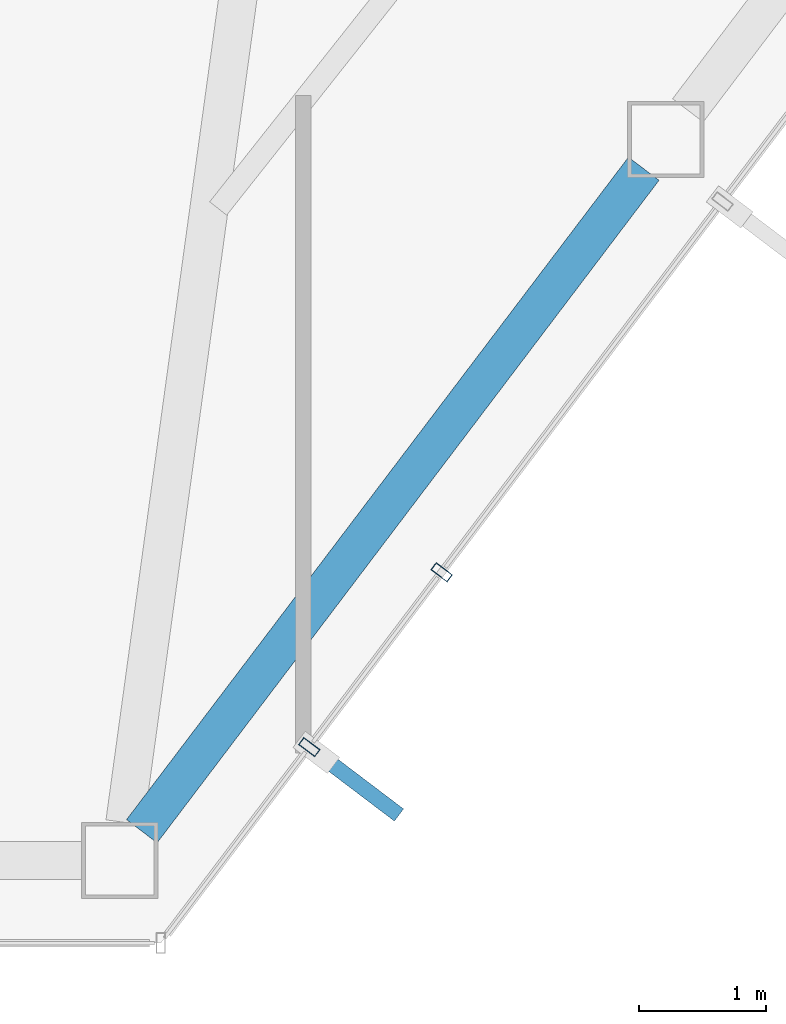
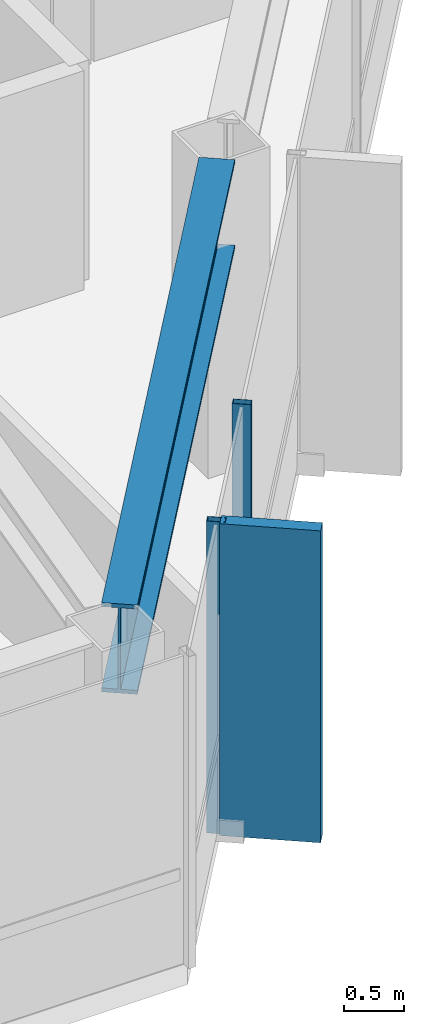
# One storey, part 8 of 27: 3 members, 1 beam, 1 element without a shape of its own.
"""IFC4 building model written with IfcOpenShell, lengths in metres."""

import ifcopenshell
import ifcopenshell.guid

model = None  # the IFC model being written
_history = None  # IfcOwnerHistory: only IFC2X3 demands one
_inside = {}  # id of a spatial element -> (the spatial element, [elements in it])
_under = {}  # id of a project, library or spatial element -> (it, [spatial elements below it])
_declared = {}  # id of a project -> (the project, [libraries it declares])
_typed = {}  # id of a type object -> (the type object, [elements of that type])
_made_of = {}  # id of a material, layer set ... -> (it, [elements and type objects made of it])


def new_model(schema):
    """Start an empty IFC model of exactly this schema.

    Asked for "IFC4X3", IfcOpenShell would pick the latest addendum, in which some entities
    have other attributes; the version numbers below select the first issue.
    IFC2X3 requires an IfcOwnerHistory on every rooted entity: one is made here for all.
    """
    global model, _history
    if schema == "IFC4X3":
        model = ifcopenshell.file(schema_version=(4, 3, 0, 0))
    else:
        model = ifcopenshell.file(schema=schema)
    _inside.clear()
    _under.clear()
    _declared.clear()
    _typed.clear()
    _made_of.clear()
    _history = None
    if model.schema == "IFC2X3":
        org = make("IfcOrganization", Name="unknown")
        user = make(
            "IfcPersonAndOrganization",
            ThePerson=make("IfcPerson", FamilyName="unknown"),
            TheOrganization=org,
        )
        app = make(
            "IfcApplication",
            ApplicationDeveloper=org,
            Version="unknown",
            ApplicationFullName="unknown",
            ApplicationIdentifier="unknown",
        )
        _history = make(
            "IfcOwnerHistory",
            OwningUser=user,
            OwningApplication=app,
            ChangeAction="ADDED",
            CreationDate=0,
        )
    return model


def make(cls, **values):
    """One entity of the class cls with the attributes given. An attribute that is None is left unset."""
    return model.create_entity(
        cls, **{name: value for name, value in values.items() if value is not None}
    )


def rooted(cls, **values):
    """An entity with a GlobalId (a new one), such as an element, a storey or a relation."""
    return make(cls, GlobalId=ifcopenshell.guid.new(), OwnerHistory=_history, **values)


def si_unit(unit_type, name, prefix=None):
    """IfcSIUnit, for example si_unit("LENGTHUNIT", "METRE", prefix="MILLI")."""
    return make("IfcSIUnit", UnitType=unit_type, Prefix=prefix, Name=name)


def assignment(units):
    """IfcUnitAssignment: the units of a project."""
    return None if units is None else make("IfcUnitAssignment", Units=units)


def point(xyz):
    """IfcCartesianPoint."""
    return None if xyz is None else make("IfcCartesianPoint", Coordinates=xyz)


def direction(xyz):
    """IfcDirection."""
    return None if xyz is None else make("IfcDirection", DirectionRatios=xyz)


def frame(location, z_axis=None, x_axis=None):
    """IfcAxis2Placement3D, a coordinate frame: its origin and axes. An axis left out is left unset."""
    return make(
        "IfcAxis2Placement3D",
        Location=point(location),
        Axis=direction(z_axis),
        RefDirection=direction(x_axis),
    )


def frame_2d(location, x_axis=None):
    """IfcAxis2Placement2D, a coordinate frame in the plane: its origin and x axis."""
    return make(
        "IfcAxis2Placement2D", Location=point(location), RefDirection=direction(x_axis)
    )


def origin():
    """The frame at (0, 0, 0) with its axes left unset."""
    return frame((0.0, 0.0, 0.0))


def origin_2d():
    """The frame at (0, 0) in the plane with its x axis left unset."""
    return frame_2d((0.0, 0.0))


def place(relative_to, where):
    """IfcLocalPlacement: puts the frame where relative to a parent placement (None: the world)."""
    return make(
        "IfcLocalPlacement", PlacementRelTo=relative_to, RelativePlacement=where
    )


def context(
    kind, dimensions, precision=None, world=None, true_north=None, identifier=None
):
    """IfcGeometricRepresentationContext, for example the 3D "Model" context."""
    return make(
        "IfcGeometricRepresentationContext",
        ContextIdentifier=identifier,
        ContextType=kind,
        CoordinateSpaceDimension=dimensions,
        Precision=precision,
        WorldCoordinateSystem=world,
        TrueNorth=true_north,
    )


def subcontext(parent, identifier, kind, view, scale=None):
    """IfcGeometricRepresentationSubContext, for example "Body" below "Model"."""
    return make(
        "IfcGeometricRepresentationSubContext",
        ContextIdentifier=identifier,
        ContextType=kind,
        ParentContext=parent,
        TargetScale=scale,
        TargetView=view,
    )


def project(units=None, contexts=None):
    """IfcProject with its units and contexts."""
    return rooted(
        "IfcProject",
        Name="project",
        RepresentationContexts=contexts,
        UnitsInContext=assignment(units),
    )


def spatial(cls, under=None, at=None, **own):
    """A site, building, storey or space (cls), placed at a placement, below another one or the project."""
    s = rooted(cls, ObjectPlacement=at, **own)
    if under is not None:
        _under.setdefault(under.id(), (under, []))[1].append(s)
    return s


def profile(cls, at=None, kind="AREA", **sizes):
    """A parametric profile (cls). Its sizes go by their IFC names, for example OverallWidth=200.0."""
    return make(cls, ProfileType=kind, Position=at, **sizes)


def rectangle(**sizes):
    """IfcRectangleProfileDef."""
    return profile("IfcRectangleProfileDef", **sizes)


def hollow_rectangle(**sizes):
    """IfcRectangleHollowProfileDef."""
    return profile("IfcRectangleHollowProfileDef", **sizes)


def i_section(**sizes):
    """IfcIShapeProfileDef."""
    return profile("IfcIShapeProfileDef", **sizes)


def extrude(swept, where, along, depth):
    """IfcExtrudedAreaSolid: the profile swept, set in the frame where, extruded along a direction by depth."""
    return make(
        "IfcExtrudedAreaSolid",
        SweptArea=swept,
        Position=where,
        ExtrudedDirection=direction(along),
        Depth=depth,
    )


def shape(context_of_items, identifier, shape_type, items):
    """IfcShapeRepresentation: the items that make up one representation, for example the "Body"."""
    return make(
        "IfcShapeRepresentation",
        ContextOfItems=context_of_items,
        RepresentationIdentifier=identifier,
        RepresentationType=shape_type,
        Items=items,
    )


def material(Name=None, Category=None):
    """IfcMaterial."""
    return make("IfcMaterial", Name=Name, Category=Category)


def layer(
    of_material, thickness, ventilated=None, Name=None, Category=None, Priority=None
):
    """IfcMaterialLayer: one layer of a wall or slab, of a material (None: an air gap)."""
    return make(
        "IfcMaterialLayer",
        Material=of_material,
        LayerThickness=thickness,
        IsVentilated=ventilated,
        Name=Name,
        Category=Category,
        Priority=Priority,
    )


def layer_set(layers, Name=None):
    """IfcMaterialLayerSet."""
    return make("IfcMaterialLayerSet", MaterialLayers=layers, LayerSetName=Name)


def material_profile(
    of_material, cross_section, Name=None, Category=None, Priority=None
):
    """IfcMaterialProfile: a cross section and its material."""
    return make(
        "IfcMaterialProfile",
        Name=Name,
        Material=of_material,
        Profile=cross_section,
        Priority=Priority,
        Category=Category,
    )


def profile_set(profiles, Name=None, composite=None):
    """IfcMaterialProfileSet."""
    return make(
        "IfcMaterialProfileSet",
        Name=Name,
        MaterialProfiles=profiles,
        CompositeProfile=composite,
    )


def made_of(thing, what):
    """Note that an element or type object is made of a material, layer set ...; save() writes the relation."""
    if what is not None:
        _made_of.setdefault(what.id(), (what, []))[1].append(thing)
    return thing


def type_object(cls, material=None, **own):
    """A type object (cls), such as IfcWallType, which elements share."""
    return made_of(rooted(cls, **own), material)


def element(
    cls,
    number,
    at=None,
    inside=None,
    cuts=None,
    type_object=None,
    material=None,
    context=None,
    identifier="Body",
    shape_type=None,
    held_by="IfcProductDefinitionShape",
    body=None,
    shapes=None,
    **own,
):
    """One element of the class cls, such as IfcWall. Its Tag is "e" and its number.

    at: its placement. inside: the storey or other place that contains it. cuts: it is an
    opening in that element (IfcRelVoidsElement). A single representation is given by context,
    identifier, shape_type and body (its items); several are given by shapes. held_by: the class
    of the entity that holds the representations. save() writes the other relations.
    """
    e = rooted(cls, Tag="e%d" % number, ObjectPlacement=at, **own)
    if body is not None:
        shapes = [shape(context, identifier, shape_type, body)]
    if shapes is not None:
        e.Representation = make(held_by, Representations=shapes)
    if inside is not None:
        _inside.setdefault(inside.id(), (inside, []))[1].append(e)
    if cuts is not None:
        rooted(
            "IfcRelVoidsElement", RelatingBuildingElement=cuts, RelatedOpeningElement=e
        )
    if type_object is not None:
        _typed.setdefault(type_object.id(), (type_object, []))[1].append(e)
    return made_of(e, material)


def aggregate(whole, parts):
    """IfcRelAggregates: a whole, such as a stair, and the parts it consists of."""
    return rooted("IfcRelAggregates", RelatingObject=whole, RelatedObjects=parts)


def save(model, path):
    """Write the relations noted so far, then the file.

    IfcRelAggregates (storeys below a building ...), IfcRelContainedInSpatialStructure (elements
    in a storey), IfcRelDefinesByType, IfcRelAssociatesMaterial and IfcRelDeclares: one each for
    every whole, place, type object, material and project.
    """
    for whole, parts in _under.values():
        aggregate(whole, parts)
    for where, things in _inside.values():
        rooted(
            "IfcRelContainedInSpatialStructure",
            RelatedElements=things,
            RelatingStructure=where,
        )
    for kind, things in _typed.values():
        rooted("IfcRelDefinesByType", RelatedObjects=things, RelatingType=kind)
    for what, things in _made_of.values():
        rooted("IfcRelAssociatesMaterial", RelatedObjects=things, RelatingMaterial=what)
    for by, libraries in _declared.values():
        rooted("IfcRelDeclares", RelatingContext=by, RelatedDefinitions=libraries)
    model.write(path)


model = new_model("IFC4")

# Units and contexts
model_context = context("Model", 3, precision=1e-05, world=origin(), true_north=direction((0.0, 1.0)))
body_context = subcontext(model_context, "Body", "Model", "MODEL_VIEW")
ifc_project = project(units=[si_unit("LENGTHUNIT", "METRE"), si_unit("AREAUNIT", "SQUARE_METRE"), si_unit("VOLUMEUNIT", "CUBIC_METRE"), si_unit("PLANEANGLEUNIT", "RADIAN"), si_unit("MASSUNIT", "GRAM", prefix="KILO")], contexts=[model_context])

# Site, building, storey
site_placement = place(None, origin())
site = spatial("IfcSite", under=ifc_project, at=site_placement, CompositionType="ELEMENT")
building_placement = place(site_placement, origin())
building = spatial("IfcBuilding", under=site, at=building_placement, Name="Zarrinselat Tower", CompositionType="ELEMENT")
storey_placement = place(building_placement, frame((0.0, 0.0, 232.56005859375)))
storey = spatial("IfcBuildingStorey", under=building, at=storey_placement, Name="L58", CompositionType="ELEMENT", Elevation=232.56005859375)

# Beam
ifc_material_1 = material(Name="Steel S460M", Category="steel")
ifc_material_profile_1 = material_profile(ifc_material_1, i_section(OverallWidth=0.302001953125, OverallDepth=0.909912109375, WebThickness=0.02099609375, FlangeThickness=0.0400390625, at=origin_2d()), Name="HEM 900")
ifc_profile_set_1 = profile_set([ifc_material_profile_1], Name="Steel S460M")
beam_type = type_object("IfcBeamType", Name="BM-HEM900", PredefinedType="BEAM", material=ifc_profile_set_1)
beam_placement = place(storey_placement, frame((44.031005859375, 19.213623046875, 2.724853515625), z_axis=(0.603865598515, 0.797086155274, 0.0), x_axis=(-0.797086155274, 0.603865598515, 0.0)))
element("IfcBeam", 1, at=beam_placement, inside=storey, type_object=beam_type, Name="L58 Perimeter Spandrel Girder SP11", PredefinedType="BEAM", context=body_context, shape_type="SweptSolid", body=[
    extrude(i_section(OverallWidth=0.302001953125, OverallDepth=0.909912109375, WebThickness=0.02099609375, FlangeThickness=0.0400390625, at=origin_2d()), origin(), (0.0, 0.0, 1.0), 6.536376953125),
])

# Curtain wall, members
ifc_material_2 = material(Name="Extruded Aluminium Alloy EN AW-6063 T6", Category="aluminium")
ifc_layer = layer(ifc_material_2, 0.169921875)
ifc_layer_set = layer_set([ifc_layer], Name="Extruded Aluminium Alloy EN AW-6063 T6")
curtain_wall_type = type_object("IfcCurtainWallType", Name="CWS-RES", PredefinedType="NOTDEFINED", material=ifc_layer_set)
curtain_wall_placement = place(storey_placement, origin())
curtain_wall = element("IfcCurtainWall", 2, at=curtain_wall_placement, inside=storey, type_object=curtain_wall_type, Name="L58 Unitised Curtain Wall CW-L58-E05", PredefinedType="NOTDEFINED")
ifc_material_3 = material(Name="Extruded Aluminium Alloy EN AW-6063 T6", Category="aluminium")
ifc_material_profile_2 = material_profile(ifc_material_3, hollow_rectangle(XDim=0.070068359375, YDim=0.159912109375, WallThickness=0.00390625, at=origin_2d()), Name="RHS 160x70x4")
ifc_profile_set_2 = profile_set([ifc_material_profile_2], Name="Extruded Aluminium Alloy EN AW-6063 T6")
member_type_1 = type_object("IfcMemberType", Name="MEM-CW-MUL2", PredefinedType="MULLION", material=ifc_profile_set_2)
member_1_placement = place(storey_placement, frame((45.347900390625, 19.87548828125, 0.0), z_axis=(0.0, 0.0, 1.0), x_axis=(0.603858872188, 0.797091251037, 0.0)))
member_1 = element("IfcMember", 3, at=member_1_placement, type_object=member_type_1, Name="CW-L58-E05 Mullion 1", PredefinedType="MULLION", context=body_context, shape_type="SweptSolid", body=[
    extrude(hollow_rectangle(XDim=0.070068359375, YDim=0.159912109375, WallThickness=0.00390625, at=origin_2d()), origin(), (0.0, 0.0, 1.0), 3.179931640625),
])
member_2_placement = place(storey_placement, frame((46.388916015625, 21.25, 0.0), z_axis=(0.0, 0.0, 1.0), x_axis=(0.603858872188, 0.797091251037, 0.0)))
member_2 = element("IfcMember", 4, at=member_2_placement, type_object=member_type_1, Name="CW-L58-E05 Mullion 2", PredefinedType="MULLION", context=body_context, shape_type="SweptSolid", body=[
    extrude(hollow_rectangle(XDim=0.070068359375, YDim=0.159912109375, WallThickness=0.00390625, at=origin_2d()), origin(), (0.0, 0.0, 1.0), 3.179931640625),
])
ifc_material_4 = material(Name="Honed Cream Travertine Stone", Category="masonry")
ifc_material_profile_3 = material_profile(ifc_material_4, rectangle(XDim=0.1201171875, YDim=0.85009765625, at=origin_2d()), Name="FIN 850x120")
ifc_profile_set_3 = profile_set([ifc_material_profile_3], Name="Honed Cream Travertine Stone")
member_type_2 = type_object("IfcMemberType", Name="MEM-STONE-FIN", PredefinedType="USERDEFINED", material=ifc_profile_set_3)
member_3_placement = place(storey_placement, frame((45.714599609375, 19.597900390625, 0.0), z_axis=(0.0, 0.0, 1.0), x_axis=(-0.603858872188, -0.797091251037, 0.0)))
member_3 = element("IfcMember", 5, at=member_3_placement, type_object=member_type_2, Name="L58 Stone Shading Fin CW-L58-E05-01", ObjectType="FIN", PredefinedType="USERDEFINED", context=body_context, shape_type="SweptSolid", body=[
    extrude(rectangle(XDim=0.1201171875, YDim=0.85009765625, at=origin_2d()), origin(), (0.0, 0.0, 1.0), 3.179931640625),
])
aggregate(curtain_wall, [member_1, member_3, member_2])

save(model, "model.ifc")
